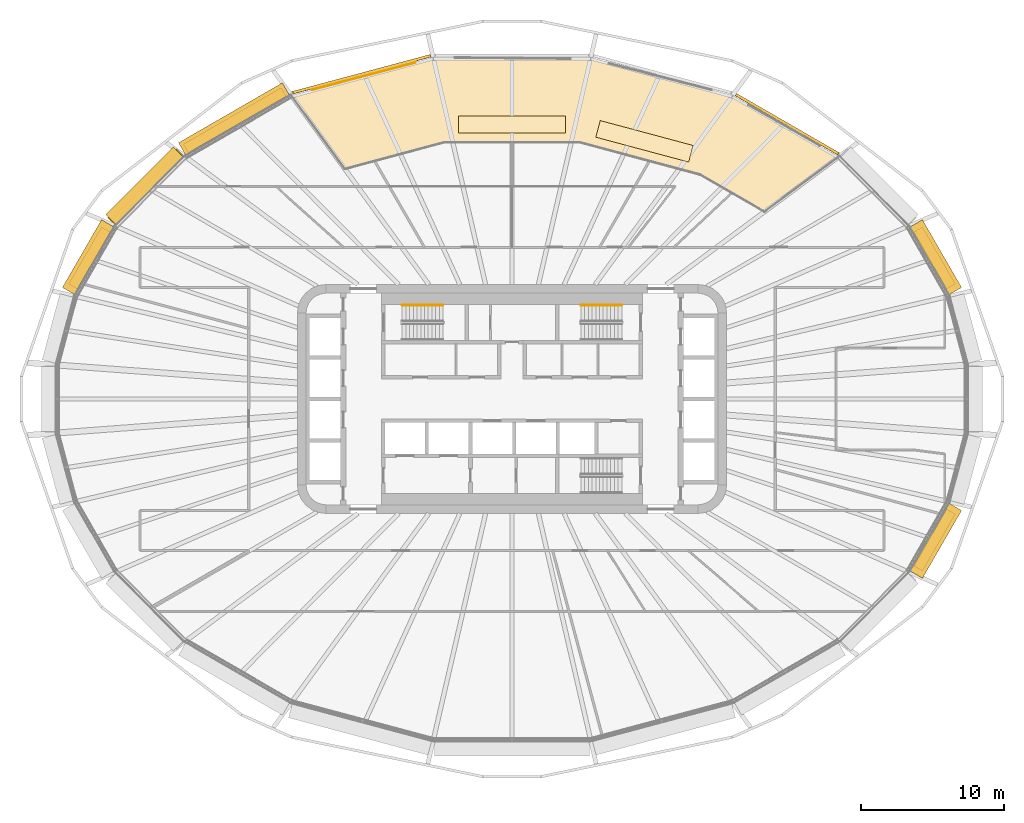
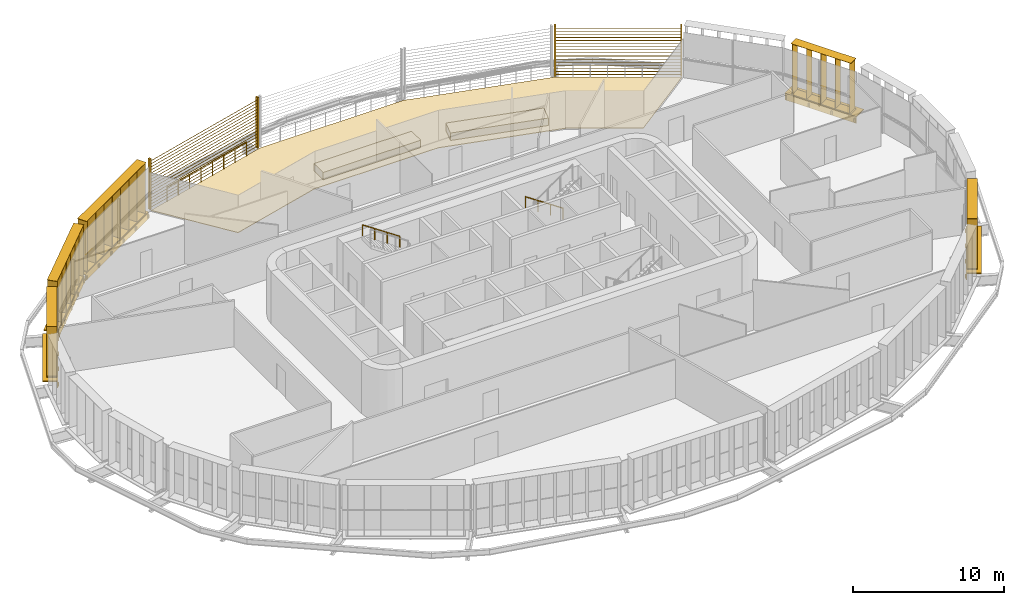
# One storey, part 23 of 24: 12 shading devices, 3 coverings, 3 railings.
"""IFC4 building model written with IfcOpenShell, lengths in metres."""

from ifc_helpers import new_model, si_unit, direction, frame, origin, origin_2d, place, context, subcontext, project, spatial, polyline, rectangle, circle, outline, extrude, material, layer, layer_set, type_object, element, save


model = new_model("IFC4")

# Units and contexts
model_context = context("Model", 3, precision=1e-05, world=origin(), true_north=direction((0.0, 1.0)))
body_context = subcontext(model_context, "Body", "Model", "MODEL_VIEW")
ifc_project = project(units=[si_unit("LENGTHUNIT", "METRE"), si_unit("AREAUNIT", "SQUARE_METRE"), si_unit("VOLUMEUNIT", "CUBIC_METRE"), si_unit("PLANEANGLEUNIT", "RADIAN"), si_unit("MASSUNIT", "GRAM", prefix="KILO")], contexts=[model_context])

# Site, building, storey
site_placement = place(None, origin())
site = spatial("IfcSite", under=ifc_project, at=site_placement, CompositionType="ELEMENT")
building_placement = place(site_placement, origin())
building = spatial("IfcBuilding", under=site, at=building_placement, Name="Sahrelin Media Tower", CompositionType="ELEMENT")
storey_placement = place(building_placement, frame((0.0, 0.0, 118.800048828125)))
storey = spatial("IfcBuildingStorey", under=building, at=storey_placement, Name="L23", CompositionType="ELEMENT", Elevation=118.800048828125)

# Shading devices
ifc_material_1 = material(Name="Champagne anodised aluminium 6063-T6", Category="aluminium")
shading_device_type_1 = type_object("IfcShadingDeviceType", Name="Fin cassette", PredefinedType="USERDEFINED", material=ifc_material_1)
placement_1 = place(storey_placement, frame((29.174560546875, 9.650390625, 0.0), z_axis=(0.0, 0.0, 1.0), x_axis=(0.500011000363, -0.866019052629, 0.0)))
element("IfcShadingDevice", 1, at=placement_1, inside=storey, type_object=shading_device_type_1, Name="L23:FIN:L23-02", ObjectType="FIN", PredefinedType="USERDEFINED", context=body_context, shape_type="SweptSolid", body=[
    extrude(rectangle(XDim=4.60009765625, YDim=0.699951171875, at=origin_2d()), frame((0.0, 0.419921875, 0.0)), (0.0, 0.0, 1.0), 0.02001953125),
    extrude(rectangle(XDim=4.60009765625, YDim=0.699951171875, at=origin_2d()), frame((0.0, 0.419921875, 4.10009765625)), (0.0, 0.0, 1.0), 0.02001953125),
    extrude(rectangle(XDim=0.02001953125, YDim=0.699951171875, at=origin_2d()), frame((-2.199951171875, 0.419921875, 0.010009765625), z_axis=(0.0, 0.0, 1.0), x_axis=(1.0, 0.0, 0.0)), (0.0, 0.0, 1.0), 4.10009765625),
    extrude(rectangle(XDim=0.02001953125, YDim=0.699951171875, at=origin_2d()), frame((-1.10009765625, 0.419921875, 0.010009765625), z_axis=(0.0, 0.0, 1.0), x_axis=(1.0, 0.0, 0.0)), (0.0, 0.0, 1.0), 4.10009765625),
    extrude(rectangle(XDim=0.02001953125, YDim=0.699951171875, at=origin_2d()), frame((0.0, 0.419921875, 0.010009765625), z_axis=(0.0, 0.0, 1.0), x_axis=(1.0, 0.0, 0.0)), (0.0, 0.0, 1.0), 4.10009765625),
    extrude(rectangle(XDim=0.02001953125, YDim=0.699951171875, at=origin_2d()), frame((1.10009765625, 0.419921875, 0.010009765625), z_axis=(0.0, 0.0, 1.0), x_axis=(1.0, 0.0, 0.0)), (0.0, 0.0, 1.0), 4.10009765625),
    extrude(rectangle(XDim=0.02001953125, YDim=0.699951171875, at=origin_2d()), frame((2.199951171875, 0.419921875, 0.010009765625), z_axis=(0.0, 0.0, 1.0), x_axis=(1.0, 0.0, 0.0)), (0.0, 0.0, 1.0), 4.10009765625),
])
placement_2 = place(storey_placement, frame((-19.17041015625, 19.12158203125, 0.0), z_axis=(0.0, 0.0, 1.0), x_axis=(0.866019052629, 0.500011000363, 0.0)))
element("IfcShadingDevice", 2, at=placement_2, inside=storey, type_object=shading_device_type_1, Name="L23:FIN:L23-08", ObjectType="FIN", PredefinedType="USERDEFINED", context=body_context, shape_type="SweptSolid", body=[
    extrude(rectangle(XDim=7.89990234375, YDim=0.699951171875, at=origin_2d()), frame((0.0, 0.419921875, 0.0)), (0.0, 0.0, 1.0), 0.02001953125),
    extrude(rectangle(XDim=7.89990234375, YDim=0.699951171875, at=origin_2d()), frame((0.0, 0.419921875, 4.10009765625)), (0.0, 0.0, 1.0), 0.02001953125),
    extrude(rectangle(XDim=0.02001953125, YDim=0.699951171875, at=origin_2d()), frame((-3.85009765625, 0.419921875, 0.010009765625), z_axis=(0.0, 0.0, 1.0), x_axis=(1.0, 0.0, 0.0)), (0.0, 0.0, 1.0), 4.10009765625),
    extrude(rectangle(XDim=0.02001953125, YDim=0.699951171875, at=origin_2d()), frame((-2.75, 0.419921875, 0.010009765625), z_axis=(0.0, 0.0, 1.0), x_axis=(1.0, 0.0, 0.0)), (0.0, 0.0, 1.0), 4.10009765625),
    extrude(rectangle(XDim=0.02001953125, YDim=0.699951171875, at=origin_2d()), frame((-1.64990234375, 0.419921875, 0.010009765625), z_axis=(0.0, 0.0, 1.0), x_axis=(1.0, 0.0, 0.0)), (0.0, 0.0, 1.0), 4.10009765625),
    extrude(rectangle(XDim=0.02001953125, YDim=0.699951171875, at=origin_2d()), frame((-0.550048828125, 0.419921875, 0.010009765625), z_axis=(0.0, 0.0, 1.0), x_axis=(1.0, 0.0, 0.0)), (0.0, 0.0, 1.0), 4.10009765625),
    extrude(rectangle(XDim=0.02001953125, YDim=0.699951171875, at=origin_2d()), frame((0.550048828125, 0.419921875, 0.010009765625), z_axis=(0.0, 0.0, 1.0), x_axis=(1.0, 0.0, 0.0)), (0.0, 0.0, 1.0), 4.10009765625),
    extrude(rectangle(XDim=0.02001953125, YDim=0.699951171875, at=origin_2d()), frame((1.64990234375, 0.419921875, 0.010009765625), z_axis=(0.0, 0.0, 1.0), x_axis=(1.0, 0.0, 0.0)), (0.0, 0.0, 1.0), 4.10009765625),
    extrude(rectangle(XDim=0.02001953125, YDim=0.699951171875, at=origin_2d()), frame((2.75, 0.419921875, 0.010009765625), z_axis=(0.0, 0.0, 1.0), x_axis=(1.0, 0.0, 0.0)), (0.0, 0.0, 1.0), 4.10009765625),
    extrude(rectangle(XDim=0.02001953125, YDim=0.699951171875, at=origin_2d()), frame((3.85009765625, 0.419921875, 0.010009765625), z_axis=(0.0, 0.0, 1.0), x_axis=(1.0, 0.0, 0.0)), (0.0, 0.0, 1.0), 4.10009765625),
])
placement_3 = place(storey_placement, frame((-25.322021484375, 14.54052734375, 0.0), z_axis=(0.0, 0.0, 1.0), x_axis=(0.707106781187, 0.707106781187, 0.0)))
element("IfcShadingDevice", 3, at=placement_3, inside=storey, type_object=shading_device_type_1, Name="L23:FIN:L23-09", ObjectType="FIN", PredefinedType="USERDEFINED", context=body_context, shape_type="SweptSolid", body=[
    extrude(rectangle(XDim=6.800048828125, YDim=0.699951171875, at=origin_2d()), frame((0.0, 0.419921875, 0.0)), (0.0, 0.0, 1.0), 0.02001953125),
    extrude(rectangle(XDim=6.800048828125, YDim=0.699951171875, at=origin_2d()), frame((0.0, 0.419921875, 4.10009765625)), (0.0, 0.0, 1.0), 0.02001953125),
    extrude(rectangle(XDim=0.02001953125, YDim=0.699951171875, at=origin_2d()), frame((-3.300048828125, 0.419921875, 0.010009765625), z_axis=(0.0, 0.0, 1.0), x_axis=(1.0, 0.0, 0.0)), (0.0, 0.0, 1.0), 4.10009765625),
    extrude(rectangle(XDim=0.02001953125, YDim=0.699951171875, at=origin_2d()), frame((-2.199951171875, 0.419921875, 0.010009765625), z_axis=(0.0, 0.0, 1.0), x_axis=(1.0, 0.0, 0.0)), (0.0, 0.0, 1.0), 4.10009765625),
    extrude(rectangle(XDim=0.02001953125, YDim=0.699951171875, at=origin_2d()), frame((-1.10009765625, 0.419921875, 0.010009765625), z_axis=(0.0, 0.0, 1.0), x_axis=(1.0, 0.0, 0.0)), (0.0, 0.0, 1.0), 4.10009765625),
    extrude(rectangle(XDim=0.02001953125, YDim=0.699951171875, at=origin_2d()), frame((0.0, 0.419921875, 0.010009765625), z_axis=(0.0, 0.0, 1.0), x_axis=(1.0, 0.0, 0.0)), (0.0, 0.0, 1.0), 4.10009765625),
    extrude(rectangle(XDim=0.02001953125, YDim=0.699951171875, at=origin_2d()), frame((1.10009765625, 0.419921875, 0.010009765625), z_axis=(0.0, 0.0, 1.0), x_axis=(1.0, 0.0, 0.0)), (0.0, 0.0, 1.0), 4.10009765625),
    extrude(rectangle(XDim=0.02001953125, YDim=0.699951171875, at=origin_2d()), frame((2.199951171875, 0.419921875, 0.010009765625), z_axis=(0.0, 0.0, 1.0), x_axis=(1.0, 0.0, 0.0)), (0.0, 0.0, 1.0), 4.10009765625),
    extrude(rectangle(XDim=0.02001953125, YDim=0.699951171875, at=origin_2d()), frame((3.300048828125, 0.419921875, 0.010009765625), z_axis=(0.0, 0.0, 1.0), x_axis=(1.0, 0.0, 0.0)), (0.0, 0.0, 1.0), 4.10009765625),
])
placement_4 = place(storey_placement, frame((-29.174560546875, 9.650390625, 0.0), z_axis=(0.0, 0.0, 1.0), x_axis=(0.500011000363, 0.866019052629, 0.0)))
element("IfcShadingDevice", 4, at=placement_4, inside=storey, type_object=shading_device_type_1, Name="L23:FIN:L23-10", ObjectType="FIN", PredefinedType="USERDEFINED", context=body_context, shape_type="SweptSolid", body=[
    extrude(rectangle(XDim=4.60009765625, YDim=0.699951171875, at=origin_2d()), frame((0.0, 0.419921875, 0.0)), (0.0, 0.0, 1.0), 0.02001953125),
    extrude(rectangle(XDim=4.60009765625, YDim=0.699951171875, at=origin_2d()), frame((0.0, 0.419921875, 4.10009765625)), (0.0, 0.0, 1.0), 0.02001953125),
    extrude(rectangle(XDim=0.02001953125, YDim=0.699951171875, at=origin_2d()), frame((-2.199951171875, 0.419921875, 0.010009765625), z_axis=(0.0, 0.0, 1.0), x_axis=(1.0, 0.0, 0.0)), (0.0, 0.0, 1.0), 4.10009765625),
    extrude(rectangle(XDim=0.02001953125, YDim=0.699951171875, at=origin_2d()), frame((-1.10009765625, 0.419921875, 0.010009765625), z_axis=(0.0, 0.0, 1.0), x_axis=(1.0, 0.0, 0.0)), (0.0, 0.0, 1.0), 4.10009765625),
    extrude(rectangle(XDim=0.02001953125, YDim=0.699951171875, at=origin_2d()), frame((0.0, 0.419921875, 0.010009765625), z_axis=(0.0, 0.0, 1.0), x_axis=(1.0, 0.0, 0.0)), (0.0, 0.0, 1.0), 4.10009765625),
    extrude(rectangle(XDim=0.02001953125, YDim=0.699951171875, at=origin_2d()), frame((1.10009765625, 0.419921875, 0.010009765625), z_axis=(0.0, 0.0, 1.0), x_axis=(1.0, 0.0, 0.0)), (0.0, 0.0, 1.0), 4.10009765625),
    extrude(rectangle(XDim=0.02001953125, YDim=0.699951171875, at=origin_2d()), frame((2.199951171875, 0.419921875, 0.010009765625), z_axis=(0.0, 0.0, 1.0), x_axis=(1.0, 0.0, 0.0)), (0.0, 0.0, 1.0), 4.10009765625),
])
placement_5 = place(storey_placement, frame((29.174560546875, -9.650390625, 0.0), z_axis=(0.0, 0.0, 1.0), x_axis=(-0.500011000363, -0.866019052629, 0.0)))
element("IfcShadingDevice", 5, at=placement_5, inside=storey, type_object=shading_device_type_1, Name="L23:FIN:L23-22", ObjectType="FIN", PredefinedType="USERDEFINED", context=body_context, shape_type="SweptSolid", body=[
    extrude(rectangle(XDim=4.60009765625, YDim=0.699951171875, at=origin_2d()), frame((0.0, 0.419921875, 0.0)), (0.0, 0.0, 1.0), 0.02001953125),
    extrude(rectangle(XDim=4.60009765625, YDim=0.699951171875, at=origin_2d()), frame((0.0, 0.419921875, 4.10009765625)), (0.0, 0.0, 1.0), 0.02001953125),
    extrude(rectangle(XDim=0.02001953125, YDim=0.699951171875, at=origin_2d()), frame((-2.199951171875, 0.419921875, 0.010009765625), z_axis=(0.0, 0.0, 1.0), x_axis=(1.0, 0.0, 0.0)), (0.0, 0.0, 1.0), 4.10009765625),
    extrude(rectangle(XDim=0.02001953125, YDim=0.699951171875, at=origin_2d()), frame((-1.10009765625, 0.419921875, 0.010009765625), z_axis=(0.0, 0.0, 1.0), x_axis=(1.0, 0.0, 0.0)), (0.0, 0.0, 1.0), 4.10009765625),
    extrude(rectangle(XDim=0.02001953125, YDim=0.699951171875, at=origin_2d()), frame((0.0, 0.419921875, 0.010009765625), z_axis=(0.0, 0.0, 1.0), x_axis=(1.0, 0.0, 0.0)), (0.0, 0.0, 1.0), 4.10009765625),
    extrude(rectangle(XDim=0.02001953125, YDim=0.699951171875, at=origin_2d()), frame((1.10009765625, 0.419921875, 0.010009765625), z_axis=(0.0, 0.0, 1.0), x_axis=(1.0, 0.0, 0.0)), (0.0, 0.0, 1.0), 4.10009765625),
    extrude(rectangle(XDim=0.02001953125, YDim=0.699951171875, at=origin_2d()), frame((2.199951171875, 0.419921875, 0.010009765625), z_axis=(0.0, 0.0, 1.0), x_axis=(1.0, 0.0, 0.0)), (0.0, 0.0, 1.0), 4.10009765625),
])

# Covering
ifc_material_2 = material(Name="Stone paving", Category="masonry")
ifc_layer = layer(ifc_material_2, 0.0400390625)
ifc_layer_set = layer_set([ifc_layer], Name="Garden paving")
covering_type_1 = type_object("IfcCoveringType", Name="Garden paving", PredefinedType="FLOORING", material=ifc_layer_set)
covering_1_placement = place(storey_placement, origin())
element("IfcCovering", 6, at=covering_1_placement, inside=storey, type_object=covering_type_1, Name="Garden paving G2", PredefinedType="FLOORING", context=body_context, shape_type="SweptSolid", body=[
    extrude(outline(polyline([(5.513671875, 23.87890625), (15.4345703125, 21.220703125), (22.7958984375, 16.970458984375), (17.63134765625, 13.1396484375), (13.1572265625, 15.722900390625), (4.737060546875, 17.97900390625), (-4.737060546875, 17.97900390625), (-11.655517578125, 16.125244140625), (-15.37060546875, 21.23779296875), (-5.513671875, 23.87890625), (5.513671875, 23.87890625)])), origin(), (0.0, 0.0, 1.0), 0.0400390625),
])

# Shading devices
shading_device_type_2 = type_object("IfcShadingDeviceType", Name="Garden screen", PredefinedType="USERDEFINED", material=ifc_material_1)
shading_device_6_placement = place(storey_placement, frame((19.17041015625, 19.12158203125, 0.0), z_axis=(0.0, 0.0, 1.0), x_axis=(0.866019052629, -0.500011000363, 0.0)))
element("IfcShadingDevice", 7, at=shading_device_6_placement, inside=storey, type_object=shading_device_type_2, Name="L23:SCREEN:L23-04", ObjectType="SCREEN", PredefinedType="USERDEFINED", context=body_context, shape_type="SweptSolid", body=[
    extrude(rectangle(XDim=0.1201171875, YDim=0.199951171875, at=origin_2d()), frame((4.181396484375, 0.10009765625, 0.050048828125), z_axis=(0.0, 0.0, 1.0), x_axis=(1.0, 0.0, 0.0)), (0.0, 0.0, 1.0), 4.099853515625),
    extrude(rectangle(XDim=0.1201171875, YDim=0.199951171875, at=origin_2d()), frame((-4.181396484375, 0.10009765625, 0.050048828125), z_axis=(0.0, 0.0, 1.0), x_axis=(1.0, 0.0, 0.0)), (0.0, 0.0, 1.0), 4.099853515625),
    extrude(rectangle(XDim=0.25, YDim=0.02001953125, at=origin_2d()), frame((4.12158203125, 0.10009765625, 0.14990234375), z_axis=(-1.0, 0.0, 0.0), x_axis=(0.0, -0.766044443119, 0.642787609687)), (0.0, 0.0, 1.0), 8.2431640625),
    extrude(rectangle(XDim=0.25, YDim=0.02001953125, at=origin_2d()), frame((4.12158203125, 0.10009765625, 0.39990234375), z_axis=(-1.0, 0.0, 0.0), x_axis=(0.0, -0.766044443119, 0.642787609687)), (0.0, 0.0, 1.0), 8.2431640625),
    extrude(rectangle(XDim=0.25, YDim=0.02001953125, at=origin_2d()), frame((4.12158203125, 0.10009765625, 0.64990234375), z_axis=(-1.0, 0.0, 0.0), x_axis=(0.0, -0.766044443119, 0.642787609687)), (0.0, 0.0, 1.0), 8.2431640625),
    extrude(rectangle(XDim=0.25, YDim=0.02001953125, at=origin_2d()), frame((4.12158203125, 0.10009765625, 0.89990234375), z_axis=(-1.0, 0.0, 0.0), x_axis=(0.0, -0.766044443119, 0.642787609687)), (0.0, 0.0, 1.0), 8.2431640625),
    extrude(rectangle(XDim=0.25, YDim=0.02001953125, at=origin_2d()), frame((4.12158203125, 0.10009765625, 1.14990234375), z_axis=(-1.0, 0.0, 0.0), x_axis=(0.0, -0.766044443119, 0.642787609687)), (0.0, 0.0, 1.0), 8.2431640625),
    extrude(rectangle(XDim=0.25, YDim=0.02001953125, at=origin_2d()), frame((4.12158203125, 0.10009765625, 1.39990234375), z_axis=(-1.0, 0.0, 0.0), x_axis=(0.0, -0.766044443119, 0.642787609687)), (0.0, 0.0, 1.0), 8.2431640625),
    extrude(rectangle(XDim=0.25, YDim=0.02001953125, at=origin_2d()), frame((4.12158203125, 0.10009765625, 1.64990234375), z_axis=(-1.0, 0.0, 0.0), x_axis=(0.0, -0.766044443119, 0.642787609687)), (0.0, 0.0, 1.0), 8.2431640625),
    extrude(rectangle(XDim=0.25, YDim=0.02001953125, at=origin_2d()), frame((4.12158203125, 0.10009765625, 1.89990234375), z_axis=(-1.0, 0.0, 0.0), x_axis=(0.0, -0.766044443119, 0.642787609687)), (0.0, 0.0, 1.0), 8.2431640625),
    extrude(rectangle(XDim=0.25, YDim=0.02001953125, at=origin_2d()), frame((4.12158203125, 0.10009765625, 2.14990234375), z_axis=(-1.0, 0.0, 0.0), x_axis=(0.0, -0.766044443119, 0.642787609687)), (0.0, 0.0, 1.0), 8.2431640625),
    extrude(rectangle(XDim=0.25, YDim=0.02001953125, at=origin_2d()), frame((4.12158203125, 0.10009765625, 2.39990234375), z_axis=(-1.0, 0.0, 0.0), x_axis=(0.0, -0.766044443119, 0.642787609687)), (0.0, 0.0, 1.0), 8.2431640625),
    extrude(rectangle(XDim=0.25, YDim=0.02001953125, at=origin_2d()), frame((4.12158203125, 0.10009765625, 2.64990234375), z_axis=(-1.0, 0.0, 0.0), x_axis=(0.0, -0.766044443119, 0.642787609687)), (0.0, 0.0, 1.0), 8.2431640625),
    extrude(rectangle(XDim=0.25, YDim=0.02001953125, at=origin_2d()), frame((4.12158203125, 0.10009765625, 2.89990234375), z_axis=(-1.0, 0.0, 0.0), x_axis=(0.0, -0.766044443119, 0.642787609687)), (0.0, 0.0, 1.0), 8.2431640625),
    extrude(rectangle(XDim=0.25, YDim=0.02001953125, at=origin_2d()), frame((4.12158203125, 0.10009765625, 3.14990234375), z_axis=(-1.0, 0.0, 0.0), x_axis=(0.0, -0.766044443119, 0.642787609687)), (0.0, 0.0, 1.0), 8.2431640625),
    extrude(rectangle(XDim=0.25, YDim=0.02001953125, at=origin_2d()), frame((4.12158203125, 0.10009765625, 3.39990234375), z_axis=(-1.0, 0.0, 0.0), x_axis=(0.0, -0.766044443119, 0.642787609687)), (0.0, 0.0, 1.0), 8.2431640625),
    extrude(rectangle(XDim=0.25, YDim=0.02001953125, at=origin_2d()), frame((4.12158203125, 0.10009765625, 3.64990234375), z_axis=(-1.0, 0.0, 0.0), x_axis=(0.0, -0.766044443119, 0.642787609687)), (0.0, 0.0, 1.0), 8.2431640625),
    extrude(rectangle(XDim=0.25, YDim=0.02001953125, at=origin_2d()), frame((4.12158203125, 0.10009765625, 3.89990234375), z_axis=(-1.0, 0.0, 0.0), x_axis=(0.0, -0.766044443119, 0.642787609687)), (0.0, 0.0, 1.0), 8.2431640625),
])
shading_device_7_placement = place(storey_placement, frame((-10.487060546875, 22.59814453125, 0.0), z_axis=(0.0, 0.0, 1.0), x_axis=(0.965928857556, 0.258807731996, 0.0)))
element("IfcShadingDevice", 8, at=shading_device_7_placement, inside=storey, type_object=shading_device_type_2, Name="L23:SCREEN:L23-07", ObjectType="SCREEN", PredefinedType="USERDEFINED", context=body_context, shape_type="SweptSolid", body=[
    extrude(rectangle(XDim=0.1201171875, YDim=0.199951171875, at=origin_2d()), frame((5.031982421875, 0.10009765625, 0.050048828125), z_axis=(0.0, 0.0, 1.0), x_axis=(1.0, 0.0, 0.0)), (0.0, 0.0, 1.0), 4.099853515625),
    extrude(rectangle(XDim=0.1201171875, YDim=0.199951171875, at=origin_2d()), frame((-5.031982421875, 0.10009765625, 0.050048828125), z_axis=(0.0, 0.0, 1.0), x_axis=(1.0, 0.0, 0.0)), (0.0, 0.0, 1.0), 4.099853515625),
    extrude(rectangle(XDim=0.25, YDim=0.02001953125, at=origin_2d()), frame((4.971923828125, 0.10009765625, 0.14990234375), z_axis=(-1.0, 0.0, 0.0), x_axis=(0.0, -0.766044443119, 0.642787609687)), (0.0, 0.0, 1.0), 9.94384765625),
    extrude(rectangle(XDim=0.25, YDim=0.02001953125, at=origin_2d()), frame((4.971923828125, 0.10009765625, 0.39990234375), z_axis=(-1.0, 0.0, 0.0), x_axis=(0.0, -0.766044443119, 0.642787609687)), (0.0, 0.0, 1.0), 9.94384765625),
    extrude(rectangle(XDim=0.25, YDim=0.02001953125, at=origin_2d()), frame((4.971923828125, 0.10009765625, 0.64990234375), z_axis=(-1.0, 0.0, 0.0), x_axis=(0.0, -0.766044443119, 0.642787609687)), (0.0, 0.0, 1.0), 9.94384765625),
    extrude(rectangle(XDim=0.25, YDim=0.02001953125, at=origin_2d()), frame((4.971923828125, 0.10009765625, 0.89990234375), z_axis=(-1.0, 0.0, 0.0), x_axis=(0.0, -0.766044443119, 0.642787609687)), (0.0, 0.0, 1.0), 9.94384765625),
    extrude(rectangle(XDim=0.25, YDim=0.02001953125, at=origin_2d()), frame((4.971923828125, 0.10009765625, 1.14990234375), z_axis=(-1.0, 0.0, 0.0), x_axis=(0.0, -0.766044443119, 0.642787609687)), (0.0, 0.0, 1.0), 9.94384765625),
    extrude(rectangle(XDim=0.25, YDim=0.02001953125, at=origin_2d()), frame((4.971923828125, 0.10009765625, 1.39990234375), z_axis=(-1.0, 0.0, 0.0), x_axis=(0.0, -0.766044443119, 0.642787609687)), (0.0, 0.0, 1.0), 9.94384765625),
    extrude(rectangle(XDim=0.25, YDim=0.02001953125, at=origin_2d()), frame((4.971923828125, 0.10009765625, 1.64990234375), z_axis=(-1.0, 0.0, 0.0), x_axis=(0.0, -0.766044443119, 0.642787609687)), (0.0, 0.0, 1.0), 9.94384765625),
    extrude(rectangle(XDim=0.25, YDim=0.02001953125, at=origin_2d()), frame((4.971923828125, 0.10009765625, 1.89990234375), z_axis=(-1.0, 0.0, 0.0), x_axis=(0.0, -0.766044443119, 0.642787609687)), (0.0, 0.0, 1.0), 9.94384765625),
    extrude(rectangle(XDim=0.25, YDim=0.02001953125, at=origin_2d()), frame((4.971923828125, 0.10009765625, 2.14990234375), z_axis=(-1.0, 0.0, 0.0), x_axis=(0.0, -0.766044443119, 0.642787609687)), (0.0, 0.0, 1.0), 9.94384765625),
    extrude(rectangle(XDim=0.25, YDim=0.02001953125, at=origin_2d()), frame((4.971923828125, 0.10009765625, 2.39990234375), z_axis=(-1.0, 0.0, 0.0), x_axis=(0.0, -0.766044443119, 0.642787609687)), (0.0, 0.0, 1.0), 9.94384765625),
    extrude(rectangle(XDim=0.25, YDim=0.02001953125, at=origin_2d()), frame((4.971923828125, 0.10009765625, 2.64990234375), z_axis=(-1.0, 0.0, 0.0), x_axis=(0.0, -0.766044443119, 0.642787609687)), (0.0, 0.0, 1.0), 9.94384765625),
    extrude(rectangle(XDim=0.25, YDim=0.02001953125, at=origin_2d()), frame((4.971923828125, 0.10009765625, 2.89990234375), z_axis=(-1.0, 0.0, 0.0), x_axis=(0.0, -0.766044443119, 0.642787609687)), (0.0, 0.0, 1.0), 9.94384765625),
    extrude(rectangle(XDim=0.25, YDim=0.02001953125, at=origin_2d()), frame((4.971923828125, 0.10009765625, 3.14990234375), z_axis=(-1.0, 0.0, 0.0), x_axis=(0.0, -0.766044443119, 0.642787609687)), (0.0, 0.0, 1.0), 9.94384765625),
    extrude(rectangle(XDim=0.25, YDim=0.02001953125, at=origin_2d()), frame((4.971923828125, 0.10009765625, 3.39990234375), z_axis=(-1.0, 0.0, 0.0), x_axis=(0.0, -0.766044443119, 0.642787609687)), (0.0, 0.0, 1.0), 9.94384765625),
    extrude(rectangle(XDim=0.25, YDim=0.02001953125, at=origin_2d()), frame((4.971923828125, 0.10009765625, 3.64990234375), z_axis=(-1.0, 0.0, 0.0), x_axis=(0.0, -0.766044443119, 0.642787609687)), (0.0, 0.0, 1.0), 9.94384765625),
    extrude(rectangle(XDim=0.25, YDim=0.02001953125, at=origin_2d()), frame((4.971923828125, 0.10009765625, 3.89990234375), z_axis=(-1.0, 0.0, 0.0), x_axis=(0.0, -0.766044443119, 0.642787609687)), (0.0, 0.0, 1.0), 9.94384765625),
])

# Railing
ifc_material_3 = material(Name="Stainless steel 316", Category="steel")
railing_type_1 = type_object("IfcRailingType", Name="Sky garden guard", PredefinedType="GUARDRAIL", material=ifc_material_3)
railing_1_placement = place(storey_placement, frame((-6.74560546875, 23.5107421875, 0.0)))
element("IfcRailing", 9, at=railing_1_placement, inside=storey, type_object=railing_type_1, Name="Sky garden guard G2-4", PredefinedType="GUARDRAIL", context=body_context, shape_type="SweptSolid", body=[
    extrude(circle(Radius=0.02392578125, at=origin_2d()), frame((0.0, 0.0, 1.17578125), z_axis=(-0.967033712712, -0.254648382044, 0.0), x_axis=(0.254648382044, -0.967033712712, 0.0)), (0.0, 0.0, 1.0), 7.438720703125),
    extrude(circle(Radius=0.02099609375, at=origin_2d()), origin(), (0.0, 0.0, 1.0), 1.15185546875),
    extrude(circle(Radius=0.02099609375, at=origin_2d()), frame((-1.027587890625, -0.2705078125, 0.0)), (0.0, 0.0, 1.0), 1.15185546875),
    extrude(circle(Radius=0.02099609375, at=origin_2d()), frame((-2.055419921875, -0.541259765625, 0.0)), (0.0, 0.0, 1.0), 1.15185546875),
    extrude(circle(Radius=0.02099609375, at=origin_2d()), frame((-3.0830078125, -0.811767578125, 0.0)), (0.0, 0.0, 1.0), 1.15185546875),
    extrude(circle(Radius=0.02099609375, at=origin_2d()), frame((-4.110595703125, -1.08251953125, 0.0)), (0.0, 0.0, 1.0), 1.15185546875),
    extrude(circle(Radius=0.02099609375, at=origin_2d()), frame((-5.13818359375, -1.35302734375, 0.0)), (0.0, 0.0, 1.0), 1.15185546875),
    extrude(circle(Radius=0.02099609375, at=origin_2d()), frame((-6.166015625, -1.623779296875, 0.0)), (0.0, 0.0, 1.0), 1.15185546875),
    extrude(circle(Radius=0.02099609375, at=origin_2d()), frame((-7.193603515625, -1.894287109375, 0.0)), (0.0, 0.0, 1.0), 1.15185546875),
])

# Coverings
ifc_material_4 = material(Name="Planting and soil")
covering_type_2 = type_object("IfcCoveringType", Name="Sky garden planter", PredefinedType="USERDEFINED", material=ifc_material_4)
covering_2_placement = place(storey_placement, frame((0.0, 19.178955078125, 0.039794921875), z_axis=(0.0, 0.0, 1.0), x_axis=(-1.0, 0.0, 0.0)))
element("IfcCovering", 10, at=covering_2_placement, inside=storey, type_object=covering_type_2, Name="Sky garden planter G2-1", ObjectType="PLANTER", PredefinedType="USERDEFINED", context=body_context, shape_type="SweptSolid", body=[
    extrude(rectangle(XDim=7.47412109375, YDim=1.199951171875, at=origin_2d()), origin(), (0.0, 0.0, 1.0), 0.60009765625),
])
covering_3_placement = place(storey_placement, frame((9.2578125, 18.010009765625, 0.039794921875), z_axis=(0.0, 0.0, 1.0), x_axis=(-0.965926278012, 0.258817359244, 0.0)))
element("IfcCovering", 11, at=covering_3_placement, inside=storey, type_object=covering_type_2, Name="Sky garden planter G2-2", ObjectType="PLANTER", PredefinedType="USERDEFINED", context=body_context, shape_type="SweptSolid", body=[
    extrude(rectangle(XDim=6.71728515625, YDim=1.199951171875, at=origin_2d()), origin(), (0.0, 0.0, 1.0), 0.60009765625),
])

# Railings
ifc_material_5 = material(Name="Steel S355", Category="steel")
railing_type_2 = type_object("IfcRailingType", Name="Stair handrail 900", PredefinedType="HANDRAIL", material=ifc_material_5)
railing_2_placement = place(storey_placement, frame((-4.81494140625, 6.550048828125, 2.27490234375)))
element("IfcRailing", 12, at=railing_2_placement, inside=storey, type_object=railing_type_2, Name="L23 ST1 stair handrail 2", PredefinedType="HANDRAIL", context=body_context, shape_type="SweptSolid", body=[
    extrude(circle(Radius=0.02392578125, at=origin_2d()), frame((0.0, 0.0, 0.8759765625), z_axis=(-0.829590901723, 0.0, 0.558371682465), x_axis=(0.0, -1.0, 0.0)), (0.0, 0.0, 1.0), 3.447509765625),
    extrude(circle(Radius=0.02099609375, at=origin_2d()), origin(), (0.0, 0.0, 1.0), 0.851806640625),
    extrude(circle(Radius=0.02099609375, at=origin_2d()), frame((-0.953369140625, 0.0, 0.6416015625)), (0.0, 0.0, 1.0), 0.851806640625),
    extrude(circle(Radius=0.02099609375, at=origin_2d()), frame((-1.90673828125, 0.0, 1.283447265625)), (0.0, 0.0, 1.0), 0.851806640625),
    extrude(circle(Radius=0.02099609375, at=origin_2d()), frame((-2.860107421875, 0.0, 1.925048828125)), (0.0, 0.0, 1.0), 0.851806640625),
])
railing_3_placement = place(storey_placement, frame((7.675048828125, 6.550048828125, 0.175048828125)))
element("IfcRailing", 13, at=railing_3_placement, inside=storey, type_object=railing_type_2, Name="L23 ST3 stair handrail 1", PredefinedType="HANDRAIL", context=body_context, shape_type="SweptSolid", body=[
    extrude(circle(Radius=0.02392578125, at=origin_2d()), frame((0.0, 0.0, 0.8759765625), z_axis=(-0.829623704247, 0.0, 0.558322943601), x_axis=(0.0, -1.0, 0.0)), (0.0, 0.0, 1.0), 3.447509765625),
    extrude(circle(Radius=0.02099609375, at=origin_2d()), origin(), (0.0, 0.0, 1.0), 0.851806640625),
    extrude(circle(Radius=0.02099609375, at=origin_2d()), frame((-0.953369140625, 0.0, 0.6416015625)), (0.0, 0.0, 1.0), 0.851806640625),
    extrude(circle(Radius=0.02099609375, at=origin_2d()), frame((-1.90673828125, 0.0, 1.283203125)), (0.0, 0.0, 1.0), 0.851806640625),
    extrude(circle(Radius=0.02099609375, at=origin_2d()), frame((-2.860107421875, 0.0, 1.9248046875)), (0.0, 0.0, 1.0), 0.851806640625),
])

# Shading devices
shading_device_type_3 = type_object("IfcShadingDeviceType", Name="Sunshade band", PredefinedType="USERDEFINED", material=ifc_material_1)
element("IfcShadingDevice", 14, at=placement_1, inside=storey, type_object=shading_device_type_3, Name="L23:SUN:L23-02", ObjectType="SUNSHADE", PredefinedType="USERDEFINED", context=body_context, shape_type="SweptSolid", body=[
    extrude(rectangle(XDim=5.469482421875, YDim=0.050048828125, at=origin_2d()), frame((0.0, 0.044921875, -0.55126953125)), (0.0, 0.0, 1.0), 0.471435546875),
    extrude(rectangle(XDim=5.469482421875, YDim=1.0, at=origin_2d()), frame((0.0, 0.52001953125, -0.080078125)), (0.0, 0.0, 1.0), 0.080078125),
    extrude(rectangle(XDim=0.10009765625, YDim=0.074951171875, at=origin_2d()), frame((-2.634765625, -0.017578125, -0.47021484375)), (0.0, 0.0, 1.0), 0.300048828125),
    extrude(rectangle(XDim=0.10009765625, YDim=0.074951171875, at=origin_2d()), frame((-0.87841796875, -0.017578125, -0.47021484375)), (0.0, 0.0, 1.0), 0.300048828125),
    extrude(rectangle(XDim=0.10009765625, YDim=0.074951171875, at=origin_2d()), frame((0.87841796875, -0.017578125, -0.47021484375)), (0.0, 0.0, 1.0), 0.300048828125),
    extrude(rectangle(XDim=0.10009765625, YDim=0.074951171875, at=origin_2d()), frame((2.634765625, -0.017578125, -0.47021484375)), (0.0, 0.0, 1.0), 0.300048828125),
])
element("IfcShadingDevice", 15, at=placement_2, inside=storey, type_object=shading_device_type_3, Name="L23:SUN:L23-08", ObjectType="SUNSHADE", PredefinedType="USERDEFINED", context=body_context, shape_type="SweptSolid", body=[
    extrude(rectangle(XDim=8.383056640625, YDim=0.050048828125, at=origin_2d()), frame((0.0, 0.044921875, -0.55126953125)), (0.0, 0.0, 1.0), 0.471435546875),
    extrude(rectangle(XDim=8.383056640625, YDim=1.0, at=origin_2d()), frame((0.0, 0.52001953125, -0.080078125)), (0.0, 0.0, 1.0), 0.080078125),
    extrude(rectangle(XDim=0.10009765625, YDim=0.074951171875, at=origin_2d()), frame((-4.091552734375, -0.017578125, -0.47021484375)), (0.0, 0.0, 1.0), 0.300048828125),
    extrude(rectangle(XDim=0.10009765625, YDim=0.074951171875, at=origin_2d()), frame((-2.454833984375, -0.017578125, -0.47021484375)), (0.0, 0.0, 1.0), 0.300048828125),
    extrude(rectangle(XDim=0.10009765625, YDim=0.074951171875, at=origin_2d()), frame((-0.818359375, -0.017578125, -0.47021484375)), (0.0, 0.0, 1.0), 0.300048828125),
    extrude(rectangle(XDim=0.10009765625, YDim=0.074951171875, at=origin_2d()), frame((0.818359375, -0.017578125, -0.47021484375)), (0.0, 0.0, 1.0), 0.300048828125),
    extrude(rectangle(XDim=0.10009765625, YDim=0.074951171875, at=origin_2d()), frame((2.454833984375, -0.017578125, -0.47021484375)), (0.0, 0.0, 1.0), 0.300048828125),
    extrude(rectangle(XDim=0.10009765625, YDim=0.074951171875, at=origin_2d()), frame((4.091552734375, -0.017578125, -0.47021484375)), (0.0, 0.0, 1.0), 0.300048828125),
])
element("IfcShadingDevice", 16, at=placement_3, inside=storey, type_object=shading_device_type_3, Name="L23:SUN:L23-09", ObjectType="SUNSHADE", PredefinedType="USERDEFINED", context=body_context, shape_type="SweptSolid", body=[
    extrude(rectangle(XDim=6.6875, YDim=0.050048828125, at=origin_2d()), frame((0.0, 0.044921875, -0.55126953125)), (0.0, 0.0, 1.0), 0.471435546875),
    extrude(rectangle(XDim=6.6875, YDim=1.0, at=origin_2d()), frame((0.0, 0.52001953125, -0.080078125)), (0.0, 0.0, 1.0), 0.080078125),
    extrude(rectangle(XDim=0.10009765625, YDim=0.074951171875, at=origin_2d()), frame((-3.243896484375, -0.017578125, -0.47021484375)), (0.0, 0.0, 1.0), 0.300048828125),
    extrude(rectangle(XDim=0.10009765625, YDim=0.074951171875, at=origin_2d()), frame((-1.621826171875, -0.017578125, -0.47021484375)), (0.0, 0.0, 1.0), 0.300048828125),
    extrude(rectangle(XDim=0.10009765625, YDim=0.074951171875, at=origin_2d()), frame((0.0, -0.017578125, -0.47021484375)), (0.0, 0.0, 1.0), 0.300048828125),
    extrude(rectangle(XDim=0.10009765625, YDim=0.074951171875, at=origin_2d()), frame((1.621826171875, -0.017578125, -0.47021484375)), (0.0, 0.0, 1.0), 0.300048828125),
    extrude(rectangle(XDim=0.10009765625, YDim=0.074951171875, at=origin_2d()), frame((3.243896484375, -0.017578125, -0.47021484375)), (0.0, 0.0, 1.0), 0.300048828125),
])
element("IfcShadingDevice", 17, at=placement_4, inside=storey, type_object=shading_device_type_3, Name="L23:SUN:L23-10", ObjectType="SUNSHADE", PredefinedType="USERDEFINED", context=body_context, shape_type="SweptSolid", body=[
    extrude(rectangle(XDim=5.469482421875, YDim=0.050048828125, at=origin_2d()), frame((0.0, 0.044921875, -0.55126953125)), (0.0, 0.0, 1.0), 0.471435546875),
    extrude(rectangle(XDim=5.469482421875, YDim=1.0, at=origin_2d()), frame((0.0, 0.52001953125, -0.080078125)), (0.0, 0.0, 1.0), 0.080078125),
    extrude(rectangle(XDim=0.10009765625, YDim=0.074951171875, at=origin_2d()), frame((-2.634765625, -0.017578125, -0.47021484375)), (0.0, 0.0, 1.0), 0.300048828125),
    extrude(rectangle(XDim=0.10009765625, YDim=0.074951171875, at=origin_2d()), frame((-0.87841796875, -0.017578125, -0.47021484375)), (0.0, 0.0, 1.0), 0.300048828125),
    extrude(rectangle(XDim=0.10009765625, YDim=0.074951171875, at=origin_2d()), frame((0.87841796875, -0.017578125, -0.47021484375)), (0.0, 0.0, 1.0), 0.300048828125),
    extrude(rectangle(XDim=0.10009765625, YDim=0.074951171875, at=origin_2d()), frame((2.634765625, -0.017578125, -0.47021484375)), (0.0, 0.0, 1.0), 0.300048828125),
])
element("IfcShadingDevice", 18, at=placement_5, inside=storey, type_object=shading_device_type_3, Name="L23:SUN:L23-22", ObjectType="SUNSHADE", PredefinedType="USERDEFINED", context=body_context, shape_type="SweptSolid", body=[
    extrude(rectangle(XDim=5.469482421875, YDim=0.050048828125, at=origin_2d()), frame((0.0, 0.044921875, -0.55126953125)), (0.0, 0.0, 1.0), 0.471435546875),
    extrude(rectangle(XDim=5.469482421875, YDim=1.0, at=origin_2d()), frame((0.0, 0.52001953125, -0.080078125)), (0.0, 0.0, 1.0), 0.080078125),
    extrude(rectangle(XDim=0.10009765625, YDim=0.074951171875, at=origin_2d()), frame((-2.634765625, -0.017578125, -0.47021484375)), (0.0, 0.0, 1.0), 0.300048828125),
    extrude(rectangle(XDim=0.10009765625, YDim=0.074951171875, at=origin_2d()), frame((-0.87841796875, -0.017578125, -0.47021484375)), (0.0, 0.0, 1.0), 0.300048828125),
    extrude(rectangle(XDim=0.10009765625, YDim=0.074951171875, at=origin_2d()), frame((0.87841796875, -0.017578125, -0.47021484375)), (0.0, 0.0, 1.0), 0.300048828125),
    extrude(rectangle(XDim=0.10009765625, YDim=0.074951171875, at=origin_2d()), frame((2.634765625, -0.017578125, -0.47021484375)), (0.0, 0.0, 1.0), 0.300048828125),
])

save(model, "model.ifc")
